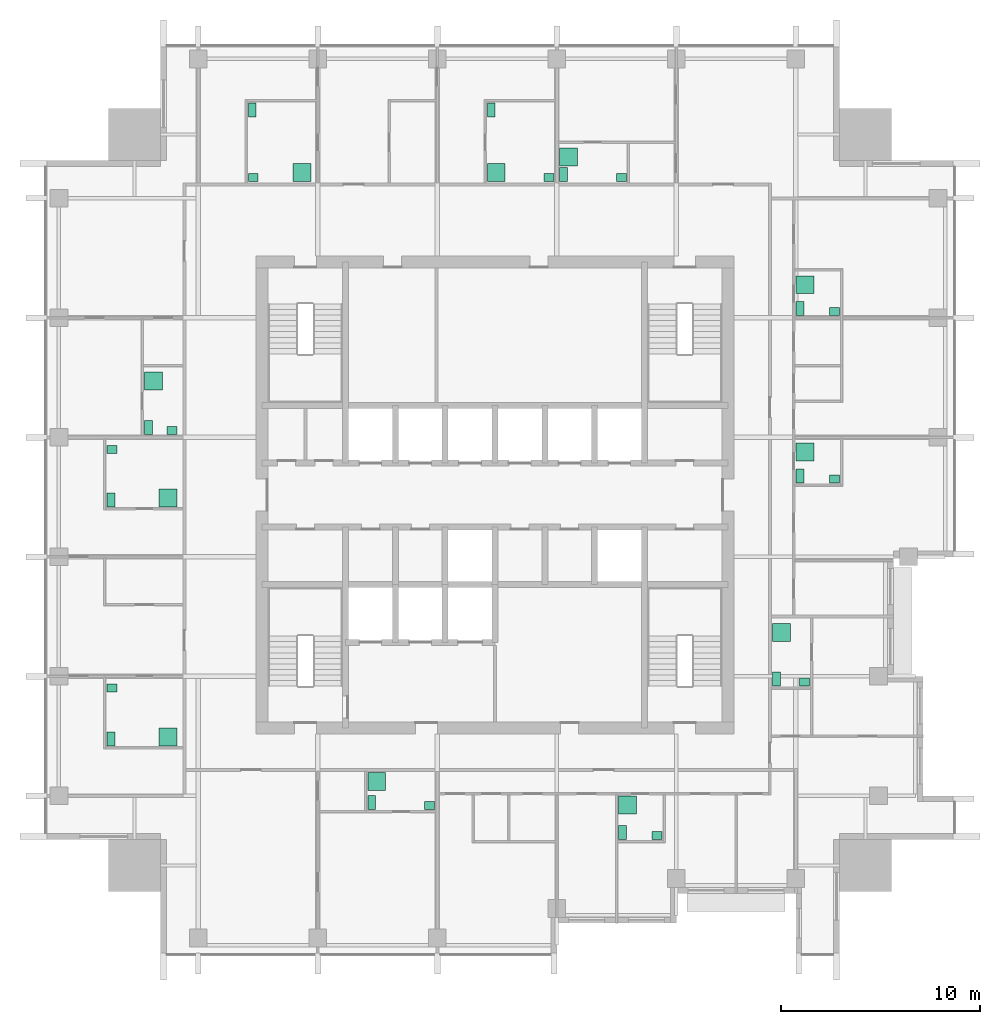
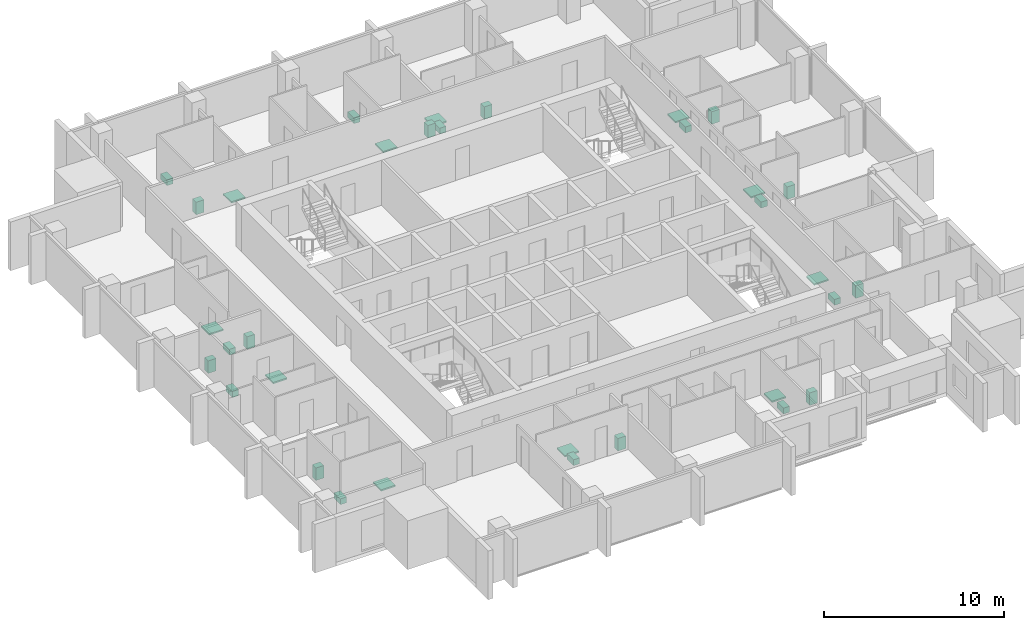
# One storey, part 10 of 10: 33 sanitary terminals.
"""IFC4 building model written with IfcOpenShell, lengths in metres."""

from ifc_helpers import new_model, si_unit, direction, frame, origin, origin_2d, place, context, subcontext, project, spatial, rectangle, extrude, element, save


model = new_model("IFC4")

# Units and contexts
model_context = context("Model", 3, precision=1e-05, world=origin(), true_north=direction((0.0, 1.0)))
body_context = subcontext(model_context, "Body", "Model", "MODEL_VIEW")
ifc_project = project(units=[si_unit("LENGTHUNIT", "METRE"), si_unit("AREAUNIT", "SQUARE_METRE"), si_unit("VOLUMEUNIT", "CUBIC_METRE"), si_unit("PLANEANGLEUNIT", "RADIAN"), si_unit("MASSUNIT", "GRAM", prefix="KILO")], contexts=[model_context])

# Site, building, storey
site_placement = place(None, origin())
site = spatial("IfcSite", under=ifc_project, at=site_placement, CompositionType="ELEMENT")
building_placement = place(site_placement, origin())
building = spatial("IfcBuilding", under=site, at=building_placement, Name="Amberfall Residences", CompositionType="ELEMENT")
storey_placement = place(building_placement, frame((0.0, 0.0, 200.199951171875)))
storey = spatial("IfcBuildingStorey", under=building, at=storey_placement, Name="L53", CompositionType="ELEMENT", Elevation=200.199951171875)

# Sanitary terminals
sanitary_terminal_1_placement = place(storey_placement, frame((68.31005859375, 30.06005859375, 0.0), z_axis=(0.0, 0.0, 1.0), x_axis=(1.0, 0.0, 0.0)))
element("IfcSanitaryTerminal", 1, at=sanitary_terminal_1_placement, inside=storey, Name="Water closet 5301", PredefinedType="TOILETPAN", context=body_context, shape_type="SweptSolid", body=[
    extrude(rectangle(XDim=0.39990234375, YDim=0.699951171875, at=origin_2d()), origin(), (0.0, 0.0, 1.0), 0.39990234375),
])
sanitary_terminal_2_placement = place(storey_placement, frame((71.215087890625, 29.909912109375, 0.0), z_axis=(0.0, 0.0, 1.0), x_axis=(1.0, 0.0, 0.0)))
element("IfcSanitaryTerminal", 2, at=sanitary_terminal_2_placement, inside=storey, Name="Basin 5301", PredefinedType="WASHHANDBASIN", context=body_context, shape_type="SweptSolid", body=[
    extrude(rectangle(XDim=0.5, YDim=0.39990234375, at=origin_2d()), origin(), (0.0, 0.0, 1.0), 0.85009765625),
])
sanitary_terminal_3_placement = place(storey_placement, frame((68.56005859375, 31.114990234375, 0.0), z_axis=(0.0, 0.0, 1.0), x_axis=(1.0, 0.0, 0.0)))
element("IfcSanitaryTerminal", 3, at=sanitary_terminal_3_placement, inside=storey, Name="Shower tray 5301", PredefinedType="SHOWER", context=body_context, shape_type="SweptSolid", body=[
    extrude(rectangle(XDim=0.89990234375, YDim=0.89990234375, at=origin_2d()), origin(), (0.0, 0.0, 1.0), 0.10009765625),
])
sanitary_terminal_4_placement = place(storey_placement, frame((80.909912109375, 28.56005859375, 0.0), z_axis=(0.0, 0.0, 1.0), x_axis=(1.0, 0.0, 0.0)))
element("IfcSanitaryTerminal", 4, at=sanitary_terminal_4_placement, inside=storey, Name="Water closet 5302", PredefinedType="TOILETPAN", context=body_context, shape_type="SweptSolid", body=[
    extrude(rectangle(XDim=0.39990234375, YDim=0.699951171875, at=origin_2d()), origin(), (0.0, 0.0, 1.0), 0.39990234375),
])
sanitary_terminal_5_placement = place(storey_placement, frame((82.639892578125, 28.409912109375, 0.0), z_axis=(0.0, 0.0, 1.0), x_axis=(1.0, 0.0, 0.0)))
element("IfcSanitaryTerminal", 5, at=sanitary_terminal_5_placement, inside=storey, Name="Basin 5302", PredefinedType="WASHHANDBASIN", context=body_context, shape_type="SweptSolid", body=[
    extrude(rectangle(XDim=0.5, YDim=0.39990234375, at=origin_2d()), origin(), (0.0, 0.0, 1.0), 0.85009765625),
])
sanitary_terminal_6_placement = place(storey_placement, frame((81.159912109375, 29.93994140625, 0.0), z_axis=(0.0, 0.0, 1.0), x_axis=(1.0, 0.0, 0.0)))
element("IfcSanitaryTerminal", 6, at=sanitary_terminal_6_placement, inside=storey, Name="Shower tray 5302", PredefinedType="SHOWER", context=body_context, shape_type="SweptSolid", body=[
    extrude(rectangle(XDim=0.89990234375, YDim=0.89990234375, at=origin_2d()), origin(), (0.0, 0.0, 1.0), 0.10009765625),
])
sanitary_terminal_7_placement = place(storey_placement, frame((88.635009765625, 36.260009765625, 0.0), z_axis=(0.0, 0.0, 1.0), x_axis=(1.0, 0.0, 0.0)))
element("IfcSanitaryTerminal", 7, at=sanitary_terminal_7_placement, inside=storey, Name="Water closet 5303", PredefinedType="TOILETPAN", context=body_context, shape_type="SweptSolid", body=[
    extrude(rectangle(XDim=0.39990234375, YDim=0.699951171875, at=origin_2d()), origin(), (0.0, 0.0, 1.0), 0.39990234375),
])
sanitary_terminal_8_placement = place(storey_placement, frame((90.0400390625, 36.110107421875, 0.0), z_axis=(0.0, 0.0, 1.0), x_axis=(1.0, 0.0, 0.0)))
element("IfcSanitaryTerminal", 8, at=sanitary_terminal_8_placement, inside=storey, Name="Basin 5303", PredefinedType="WASHHANDBASIN", context=body_context, shape_type="SweptSolid", body=[
    extrude(rectangle(XDim=0.5, YDim=0.39990234375, at=origin_2d()), origin(), (0.0, 0.0, 1.0), 0.85009765625),
])
sanitary_terminal_9_placement = place(storey_placement, frame((88.885009765625, 38.591796875, 0.0), z_axis=(0.0, 0.0, 1.0), x_axis=(1.0, 0.0, 0.0)))
element("IfcSanitaryTerminal", 9, at=sanitary_terminal_9_placement, inside=storey, Name="Shower tray 5303", PredefinedType="SHOWER", context=body_context, shape_type="SweptSolid", body=[
    extrude(rectangle(XDim=0.89990234375, YDim=0.89990234375, at=origin_2d()), origin(), (0.0, 0.0, 1.0), 0.10009765625),
])
sanitary_terminal_10_placement = place(storey_placement, frame((89.81005859375, 46.4599609375, 0.0), z_axis=(0.0, 0.0, 1.0), x_axis=(1.0, 0.0, 0.0)))
element("IfcSanitaryTerminal", 10, at=sanitary_terminal_10_placement, inside=storey, Name="Water closet 5304", PredefinedType="TOILETPAN", context=body_context, shape_type="SweptSolid", body=[
    extrude(rectangle(XDim=0.39990234375, YDim=0.699951171875, at=origin_2d()), origin(), (0.0, 0.0, 1.0), 0.39990234375),
])
sanitary_terminal_11_placement = place(storey_placement, frame((91.5400390625, 46.31005859375, 0.0), z_axis=(0.0, 0.0, 1.0), x_axis=(1.0, 0.0, 0.0)))
element("IfcSanitaryTerminal", 11, at=sanitary_terminal_11_placement, inside=storey, Name="Basin 5304", PredefinedType="WASHHANDBASIN", context=body_context, shape_type="SweptSolid", body=[
    extrude(rectangle(XDim=0.5, YDim=0.39990234375, at=origin_2d()), origin(), (0.0, 0.0, 1.0), 0.85009765625),
])
sanitary_terminal_12_placement = place(storey_placement, frame((90.06005859375, 47.6572265625, 0.0), z_axis=(0.0, 0.0, 1.0), x_axis=(1.0, 0.0, 0.0)))
element("IfcSanitaryTerminal", 12, at=sanitary_terminal_12_placement, inside=storey, Name="Shower tray 5304", PredefinedType="SHOWER", context=body_context, shape_type="SweptSolid", body=[
    extrude(rectangle(XDim=0.89990234375, YDim=0.89990234375, at=origin_2d()), origin(), (0.0, 0.0, 1.0), 0.10009765625),
])
sanitary_terminal_13_placement = place(storey_placement, frame((89.81005859375, 54.860107421875, 0.0), z_axis=(0.0, 0.0, 1.0), x_axis=(1.0, 0.0, 0.0)))
element("IfcSanitaryTerminal", 13, at=sanitary_terminal_13_placement, inside=storey, Name="Water closet 5304", PredefinedType="TOILETPAN", context=body_context, shape_type="SweptSolid", body=[
    extrude(rectangle(XDim=0.39990234375, YDim=0.699951171875, at=origin_2d()), origin(), (0.0, 0.0, 1.0), 0.39990234375),
])
sanitary_terminal_14_placement = place(storey_placement, frame((91.5400390625, 54.7099609375, 0.0), z_axis=(0.0, 0.0, 1.0), x_axis=(1.0, 0.0, 0.0)))
element("IfcSanitaryTerminal", 14, at=sanitary_terminal_14_placement, inside=storey, Name="Basin 5304", PredefinedType="WASHHANDBASIN", context=body_context, shape_type="SweptSolid", body=[
    extrude(rectangle(XDim=0.5, YDim=0.39990234375, at=origin_2d()), origin(), (0.0, 0.0, 1.0), 0.85009765625),
])
sanitary_terminal_15_placement = place(storey_placement, frame((90.06005859375, 56.05712890625, 0.0), z_axis=(0.0, 0.0, 1.0), x_axis=(1.0, 0.0, 0.0)))
element("IfcSanitaryTerminal", 15, at=sanitary_terminal_15_placement, inside=storey, Name="Shower tray 5304", PredefinedType="SHOWER", context=body_context, shape_type="SweptSolid", body=[
    extrude(rectangle(XDim=0.89990234375, YDim=0.89990234375, at=origin_2d()), origin(), (0.0, 0.0, 1.0), 0.10009765625),
])
sanitary_terminal_16_placement = place(storey_placement, frame((62.31005859375, 64.840087890625, 0.0), z_axis=(0.0, 0.0, 1.0), x_axis=(1.0, 0.0, 0.0)))
element("IfcSanitaryTerminal", 16, at=sanitary_terminal_16_placement, inside=storey, Name="Water closet 5305", PredefinedType="TOILETPAN", context=body_context, shape_type="SweptSolid", body=[
    extrude(rectangle(XDim=0.39990234375, YDim=0.699951171875, at=origin_2d()), origin(), (0.0, 0.0, 1.0), 0.39990234375),
])
sanitary_terminal_17_placement = place(storey_placement, frame((62.360107421875, 61.43505859375, 0.0), z_axis=(0.0, 0.0, 1.0), x_axis=(1.0, 0.0, 0.0)))
element("IfcSanitaryTerminal", 17, at=sanitary_terminal_17_placement, inside=storey, Name="Basin 5305", PredefinedType="WASHHANDBASIN", context=body_context, shape_type="SweptSolid", body=[
    extrude(rectangle(XDim=0.5, YDim=0.39990234375, at=origin_2d()), origin(), (0.0, 0.0, 1.0), 0.85009765625),
])
sanitary_terminal_18_placement = place(storey_placement, frame((64.814453125, 61.68505859375, 0.0), z_axis=(0.0, 0.0, 1.0), x_axis=(1.0, 0.0, 0.0)))
element("IfcSanitaryTerminal", 18, at=sanitary_terminal_18_placement, inside=storey, Name="Shower tray 5305", PredefinedType="SHOWER", context=body_context, shape_type="SweptSolid", body=[
    extrude(rectangle(XDim=0.89990234375, YDim=0.89990234375, at=origin_2d()), origin(), (0.0, 0.0, 1.0), 0.10009765625),
])
sanitary_terminal_19_placement = place(storey_placement, frame((74.31005859375, 64.840087890625, 0.0), z_axis=(0.0, 0.0, 1.0), x_axis=(1.0, 0.0, 0.0)))
element("IfcSanitaryTerminal", 19, at=sanitary_terminal_19_placement, inside=storey, Name="Water closet 5305", PredefinedType="TOILETPAN", context=body_context, shape_type="SweptSolid", body=[
    extrude(rectangle(XDim=0.39990234375, YDim=0.699951171875, at=origin_2d()), origin(), (0.0, 0.0, 1.0), 0.39990234375),
])
sanitary_terminal_20_placement = place(storey_placement, frame((77.215087890625, 61.43505859375, 0.0), z_axis=(0.0, 0.0, 1.0), x_axis=(1.0, 0.0, 0.0)))
element("IfcSanitaryTerminal", 20, at=sanitary_terminal_20_placement, inside=storey, Name="Basin 5305", PredefinedType="WASHHANDBASIN", context=body_context, shape_type="SweptSolid", body=[
    extrude(rectangle(XDim=0.5, YDim=0.39990234375, at=origin_2d()), origin(), (0.0, 0.0, 1.0), 0.85009765625),
])
sanitary_terminal_21_placement = place(storey_placement, frame((74.56005859375, 61.68505859375, 0.0), z_axis=(0.0, 0.0, 1.0), x_axis=(1.0, 0.0, 0.0)))
element("IfcSanitaryTerminal", 21, at=sanitary_terminal_21_placement, inside=storey, Name="Shower tray 5305", PredefinedType="SHOWER", context=body_context, shape_type="SweptSolid", body=[
    extrude(rectangle(XDim=0.89990234375, YDim=0.89990234375, at=origin_2d()), origin(), (0.0, 0.0, 1.0), 0.10009765625),
])
sanitary_terminal_22_placement = place(storey_placement, frame((77.93505859375, 61.5849609375, 0.0), z_axis=(0.0, 0.0, 1.0), x_axis=(1.0, 0.0, 0.0)))
element("IfcSanitaryTerminal", 22, at=sanitary_terminal_22_placement, inside=storey, Name="Water closet 5306", PredefinedType="TOILETPAN", context=body_context, shape_type="SweptSolid", body=[
    extrude(rectangle(XDim=0.39990234375, YDim=0.699951171875, at=origin_2d()), origin(), (0.0, 0.0, 1.0), 0.39990234375),
])
sanitary_terminal_23_placement = place(storey_placement, frame((80.840087890625, 61.43505859375, 0.0), z_axis=(0.0, 0.0, 1.0), x_axis=(1.0, 0.0, 0.0)))
element("IfcSanitaryTerminal", 23, at=sanitary_terminal_23_placement, inside=storey, Name="Basin 5306", PredefinedType="WASHHANDBASIN", context=body_context, shape_type="SweptSolid", body=[
    extrude(rectangle(XDim=0.5, YDim=0.39990234375, at=origin_2d()), origin(), (0.0, 0.0, 1.0), 0.85009765625),
])
sanitary_terminal_24_placement = place(storey_placement, frame((78.18505859375, 62.480712890625, 0.0), z_axis=(0.0, 0.0, 1.0), x_axis=(1.0, 0.0, 0.0)))
element("IfcSanitaryTerminal", 24, at=sanitary_terminal_24_placement, inside=storey, Name="Shower tray 5306", PredefinedType="SHOWER", context=body_context, shape_type="SweptSolid", body=[
    extrude(rectangle(XDim=0.89990234375, YDim=0.89990234375, at=origin_2d()), origin(), (0.0, 0.0, 1.0), 0.10009765625),
])
sanitary_terminal_25_placement = place(storey_placement, frame((55.2099609375, 33.260009765625, 0.0), z_axis=(0.0, 0.0, 1.0), x_axis=(1.0, 0.0, 0.0)))
element("IfcSanitaryTerminal", 25, at=sanitary_terminal_25_placement, inside=storey, Name="Water closet 5307", PredefinedType="TOILETPAN", context=body_context, shape_type="SweptSolid", body=[
    extrude(rectangle(XDim=0.39990234375, YDim=0.699951171875, at=origin_2d()), origin(), (0.0, 0.0, 1.0), 0.39990234375),
])
sanitary_terminal_26_placement = place(storey_placement, frame((55.260009765625, 35.819091796875, 0.0), z_axis=(0.0, 0.0, 1.0), x_axis=(1.0, 0.0, 0.0)))
element("IfcSanitaryTerminal", 26, at=sanitary_terminal_26_placement, inside=storey, Name="Basin 5307", PredefinedType="WASHHANDBASIN", context=body_context, shape_type="SweptSolid", body=[
    extrude(rectangle(XDim=0.5, YDim=0.39990234375, at=origin_2d()), origin(), (0.0, 0.0, 1.0), 0.85009765625),
])
sanitary_terminal_27_placement = place(storey_placement, frame((58.0771484375, 33.360107421875, 0.0), z_axis=(0.0, 0.0, 1.0), x_axis=(1.0, 0.0, 0.0)))
element("IfcSanitaryTerminal", 27, at=sanitary_terminal_27_placement, inside=storey, Name="Shower tray 5307", PredefinedType="SHOWER", context=body_context, shape_type="SweptSolid", body=[
    extrude(rectangle(XDim=0.89990234375, YDim=0.89990234375, at=origin_2d()), origin(), (0.0, 0.0, 1.0), 0.10009765625),
])
sanitary_terminal_28_placement = place(storey_placement, frame((55.2099609375, 45.260009765625, 0.0), z_axis=(0.0, 0.0, 1.0), x_axis=(1.0, 0.0, 0.0)))
element("IfcSanitaryTerminal", 28, at=sanitary_terminal_28_placement, inside=storey, Name="Water closet 5307", PredefinedType="TOILETPAN", context=body_context, shape_type="SweptSolid", body=[
    extrude(rectangle(XDim=0.39990234375, YDim=0.699951171875, at=origin_2d()), origin(), (0.0, 0.0, 1.0), 0.39990234375),
])
sanitary_terminal_29_placement = place(storey_placement, frame((55.260009765625, 47.79638671875, 0.0), z_axis=(0.0, 0.0, 1.0), x_axis=(1.0, 0.0, 0.0)))
element("IfcSanitaryTerminal", 29, at=sanitary_terminal_29_placement, inside=storey, Name="Basin 5307", PredefinedType="WASHHANDBASIN", context=body_context, shape_type="SweptSolid", body=[
    extrude(rectangle(XDim=0.5, YDim=0.39990234375, at=origin_2d()), origin(), (0.0, 0.0, 1.0), 0.85009765625),
])
sanitary_terminal_30_placement = place(storey_placement, frame((58.0771484375, 45.360107421875, 0.0), z_axis=(0.0, 0.0, 1.0), x_axis=(1.0, 0.0, 0.0)))
element("IfcSanitaryTerminal", 30, at=sanitary_terminal_30_placement, inside=storey, Name="Shower tray 5307", PredefinedType="SHOWER", context=body_context, shape_type="SweptSolid", body=[
    extrude(rectangle(XDim=0.89990234375, YDim=0.89990234375, at=origin_2d()), origin(), (0.0, 0.0, 1.0), 0.10009765625),
])
sanitary_terminal_31_placement = place(storey_placement, frame((57.110107421875, 48.885009765625, 0.0), z_axis=(0.0, 0.0, 1.0), x_axis=(1.0, 0.0, 0.0)))
element("IfcSanitaryTerminal", 31, at=sanitary_terminal_31_placement, inside=storey, Name="Water closet 5308", PredefinedType="TOILETPAN", context=body_context, shape_type="SweptSolid", body=[
    extrude(rectangle(XDim=0.39990234375, YDim=0.699951171875, at=origin_2d()), origin(), (0.0, 0.0, 1.0), 0.39990234375),
])
sanitary_terminal_32_placement = place(storey_placement, frame((58.2890625, 48.735107421875, 0.0), z_axis=(0.0, 0.0, 1.0), x_axis=(1.0, 0.0, 0.0)))
element("IfcSanitaryTerminal", 32, at=sanitary_terminal_32_placement, inside=storey, Name="Basin 5308", PredefinedType="WASHHANDBASIN", context=body_context, shape_type="SweptSolid", body=[
    extrude(rectangle(XDim=0.5, YDim=0.39990234375, at=origin_2d()), origin(), (0.0, 0.0, 1.0), 0.85009765625),
])
sanitary_terminal_33_placement = place(storey_placement, frame((57.360107421875, 51.216796875, 0.0), z_axis=(0.0, 0.0, 1.0), x_axis=(1.0, 0.0, 0.0)))
element("IfcSanitaryTerminal", 33, at=sanitary_terminal_33_placement, inside=storey, Name="Shower tray 5308", PredefinedType="SHOWER", context=body_context, shape_type="SweptSolid", body=[
    extrude(rectangle(XDim=0.89990234375, YDim=0.89990234375, at=origin_2d()), origin(), (0.0, 0.0, 1.0), 0.10009765625),
])

save(model, "model.ifc")
